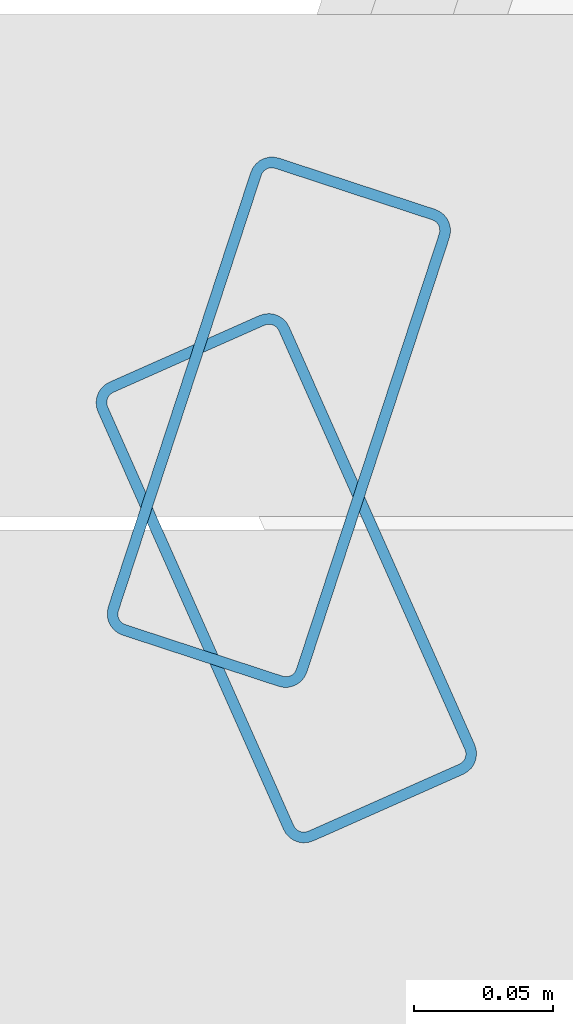
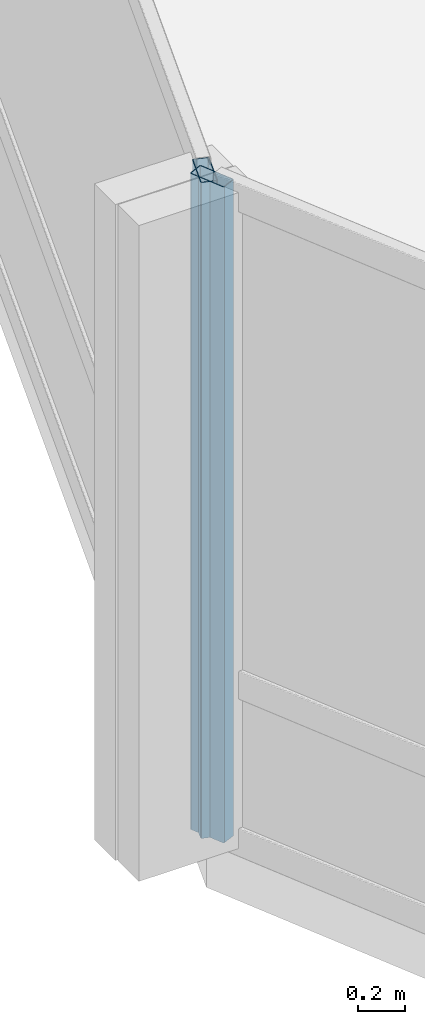
# One storey, part 6 of 28: 2 members, 2 elements without a shape of their own.
"""IFC4 building model written with IfcOpenShell, lengths in metres."""

from ifc_helpers import new_model, si_unit, direction, frame, origin, origin_2d, place, context, subcontext, project, spatial, hollow_rectangle, extrude, material, layer, layer_set, material_profile, profile_set, type_object, element, aggregate, save


model = new_model("IFC4")

# Units and contexts
model_context = context("Model", 3, precision=1e-05, world=origin(), true_north=direction((0.0, 1.0)))
body_context = subcontext(model_context, "Body", "Model", "MODEL_VIEW")
ifc_project = project(units=[si_unit("LENGTHUNIT", "METRE"), si_unit("AREAUNIT", "SQUARE_METRE"), si_unit("VOLUMEUNIT", "CUBIC_METRE"), si_unit("PLANEANGLEUNIT", "RADIAN"), si_unit("MASSUNIT", "GRAM", prefix="KILO")], contexts=[model_context])

# Site, building, storey
site_placement = place(None, origin())
site = spatial("IfcSite", under=ifc_project, at=site_placement, CompositionType="ELEMENT")
building_placement = place(site_placement, origin())
building = spatial("IfcBuilding", under=site, at=building_placement, Name="Solvaryn Broadcast Tower", CompositionType="ELEMENT")
storey_placement = place(building_placement, frame((0.0, 0.0, 154.39990234375)))
storey = spatial("IfcBuildingStorey", under=building, at=storey_placement, Name="L38", CompositionType="ELEMENT", Elevation=154.39990234375)

# Curtain wall, member
ifc_material_1 = material(Name="Aluminium and Terracotta Unitised Curtain Wall", Category="masonry")
ifc_layer = layer(ifc_material_1, 0.199951171875)
ifc_layer_set = layer_set([ifc_layer], Name="CW-SYS2-LOWMID")
curtain_wall_type = type_object("IfcCurtainWallType", Name="CW-SYS2-LOWMID", PredefinedType="NOTDEFINED", material=ifc_layer_set)
curtain_wall_1_placement = place(storey_placement, origin())
curtain_wall_1 = element("IfcCurtainWall", 1, at=curtain_wall_1_placement, inside=storey, type_object=curtain_wall_type, Name="L38 Curtain Wall DR1", PredefinedType="NOTDEFINED")
ifc_material_2 = material(Name="Anodised Aluminium 6063-T6", Category="aluminium")
ifc_material_profile = material_profile(ifc_material_2, hollow_rectangle(XDim=0.074951171875, YDim=0.179931640625, WallThickness=0.00390625, InnerFilletRadius=0.00390625, OuterFilletRadius=0.008056640625, at=origin_2d()))
ifc_profile_set = profile_set([ifc_material_profile], Name="Anodised Aluminium 6063-T6")
member_type = type_object("IfcMemberType", Name="CW-MUL-180", PredefinedType="MULLION", material=ifc_profile_set)
member_1_placement = place(storey_placement, frame((1.04345703125, 26.66455078125, 0.0), z_axis=(0.0, 0.0, 1.0), x_axis=(0.950198260794, -0.311646057547, 0.0)))
member_1 = element("IfcMember", 2, at=member_1_placement, type_object=member_type, Name="CWS2 mullion 2", PredefinedType="MULLION", context=body_context, shape_type="SweptSolid", body=[
    extrude(hollow_rectangle(XDim=0.074951171875, YDim=0.179931640625, WallThickness=0.00390625, InnerFilletRadius=0.00390625, OuterFilletRadius=0.008056640625, at=origin_2d()), origin(), (0.0, 0.0, 1.0), 3.420166015625),
])
aggregate(curtain_wall_1, [member_1])

curtain_wall_2_placement = place(storey_placement, origin())
curtain_wall_2 = element("IfcCurtainWall", 3, at=curtain_wall_2_placement, inside=storey, type_object=curtain_wall_type, Name="L38 Curtain Wall DR2", PredefinedType="NOTDEFINED")
member_2_placement = place(storey_placement, frame((1.046142578125, 26.608642578125, 0.0), z_axis=(0.0, 0.0, 1.0), x_axis=(0.913909311008, 0.405918429309, 0.0)))
member_2 = element("IfcMember", 4, at=member_2_placement, type_object=member_type, Name="CWS2 mullion 1", PredefinedType="MULLION", context=body_context, shape_type="SweptSolid", body=[
    extrude(hollow_rectangle(XDim=0.074951171875, YDim=0.179931640625, WallThickness=0.00390625, InnerFilletRadius=0.00390625, OuterFilletRadius=0.008056640625, at=origin_2d()), origin(), (0.0, 0.0, 1.0), 3.420166015625),
])
aggregate(curtain_wall_2, [member_2])

save(model, "model.ifc")
